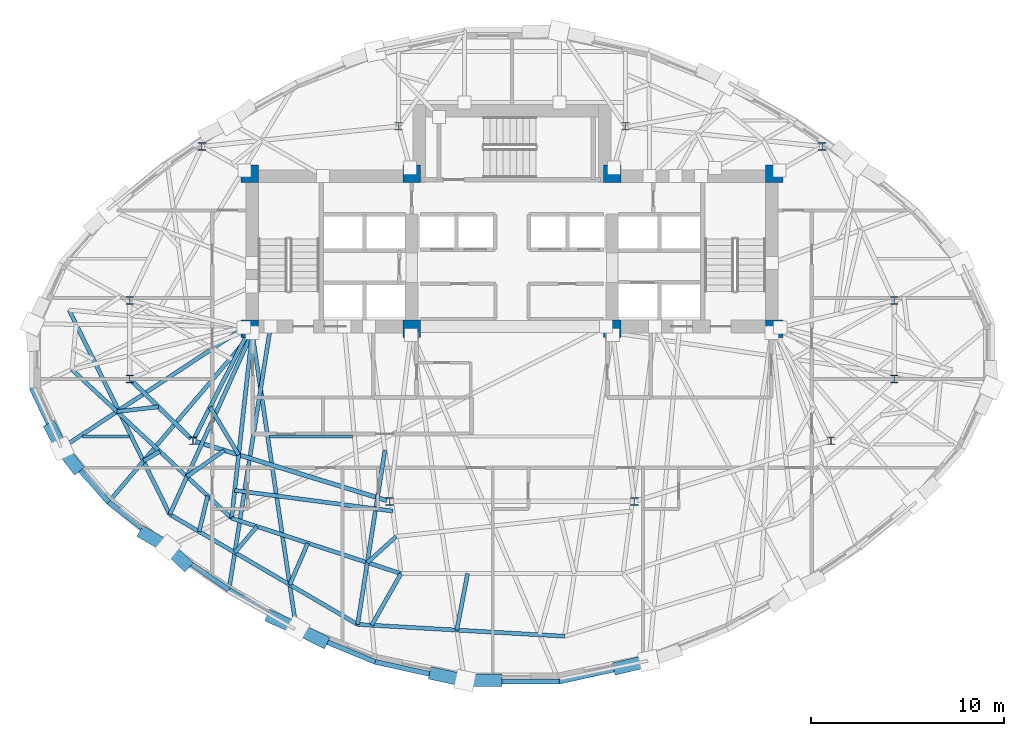
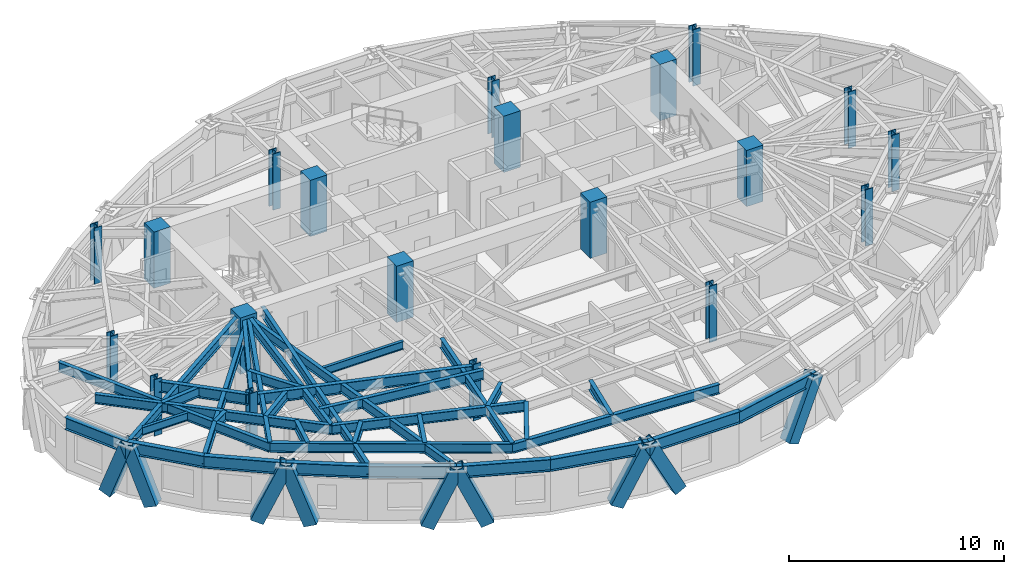
# One storey, part 1 of 14: 37 beams, 20 columns, 9 members.
"""IFC4 building model written with IfcOpenShell, lengths in metres."""

from ifc_helpers import new_model, si_unit, direction, frame, origin, origin_2d, place, context, subcontext, project, spatial, rectangle, hollow_rectangle, i_section, extrude, material, material_profile, profile_set, type_object, element, save


model = new_model("IFC4")

# Units and contexts
model_context = context("Model", 3, precision=1e-05, world=origin(), true_north=direction((0.0, 1.0)))
body_context = subcontext(model_context, "Body", "Model", "MODEL_VIEW")
ifc_project = project(units=[si_unit("LENGTHUNIT", "METRE"), si_unit("AREAUNIT", "SQUARE_METRE"), si_unit("VOLUMEUNIT", "CUBIC_METRE"), si_unit("PLANEANGLEUNIT", "RADIAN"), si_unit("MASSUNIT", "GRAM", prefix="KILO")], contexts=[model_context])

# Site, building, storey
site_placement = place(None, origin())
site = spatial("IfcSite", under=ifc_project, at=site_placement, CompositionType="ELEMENT")
building_placement = place(site_placement, origin())
building = spatial("IfcBuilding", under=site, at=building_placement, Name="Keldmark Tower", CompositionType="ELEMENT")
storey_placement = place(building_placement, frame((0.0, 0.0, 182.199951171875)))
storey = spatial("IfcBuildingStorey", under=building, at=storey_placement, Name="L50", CompositionType="ELEMENT", Elevation=182.199951171875)

# Columns
ifc_material_1 = material(Name="Concrete C50/60", Category="concrete")
ifc_material_profile_1 = material_profile(ifc_material_1, rectangle(XDim=0.89990234375, YDim=0.89990234375, at=origin_2d()), Name="RC900X900")
ifc_profile_set_1 = profile_set([ifc_material_profile_1], Name="Concrete C50/60")
column_type_1 = type_object("IfcColumnType", Name="Core Boundary Column RC900", PredefinedType="COLUMN", material=ifc_profile_set_1)
for number, where, z_axis, x_axis, name in (
    (1, (-13.60009765625, 1.39990234375, 0.0), (0.0, 0.0, 1.0), (1.0, 0.0, 0.0), "L50 Core Boundary Column CC-W1"),
    (2, (-13.60009765625, 9.449951171875, 0.0), (0.0, 0.0, 1.0), (1.0, 0.0, 0.0), "L50 Core Boundary Column CC-W2"),
    (3, (-5.199951171875, 1.39990234375, 0.0), (0.0, 0.0, 1.0), (1.0, 0.0, 0.0), "L50 Core Boundary Column CC-W3"),
    (4, (-5.199951171875, 9.449951171875, 0.0), (0.0, 0.0, 1.0), (1.0, 0.0, 0.0), "L50 Core Boundary Column CC-W4"),
    (5, (5.199951171875, 1.39990234375, 0.0), (0.0, 0.0, 1.0), (1.0, 0.0, 0.0), "L50 Core Boundary Column CC-E1"),
    (6, (5.199951171875, 9.449951171875, 0.0), (0.0, 0.0, 1.0), (1.0, 0.0, 0.0), "L50 Core Boundary Column CC-E2"),
    (7, (13.60009765625, 1.39990234375, 0.0), (0.0, 0.0, 1.0), (1.0, 0.0, 0.0), "L50 Core Boundary Column CC-E3"),
    (8, (13.60009765625, 9.449951171875, 0.0), (0.0, 0.0, 1.0), (1.0, 0.0, 0.0), "L50 Core Boundary Column CC-E4"),
):
    element("IfcColumn", number, at=place(storey_placement, frame(where, z_axis=z_axis, x_axis=x_axis)), inside=storey, type_object=column_type_1, Name=name, PredefinedType="COLUMN", context=body_context, shape_type="SweptSolid", body=[
        extrude(rectangle(XDim=0.89990234375, YDim=0.89990234375, at=origin_2d()), origin(), (0.0, 0.0, 1.0), 3.199951171875),
    ])
ifc_material_2 = material(Name="Steel ASTM A992 Grade 50", Category="steel")
ifc_material_profile_2 = material_profile(ifc_material_2, i_section(OverallWidth=0.404052734375, OverallDepth=0.406982421875, WebThickness=0.027099609375, FlangeThickness=0.043701171875, at=origin_2d()), Name="W14X233")
ifc_profile_set_2 = profile_set([ifc_material_profile_2], Name="Steel ASTM A992 Grade 50")
column_type_2 = type_object("IfcColumnType", Name="Tower Gravity Column W14X233", PredefinedType="COLUMN", material=ifc_profile_set_2)
for number, where, z_axis, x_axis, name in (
    (9, (19.828369140625, 2.869140625, 0.0), (0.0, 0.0, 1.0), (1.0, 0.0, 0.0), "L50 Tower Gravity Column TC-E1"),
    (10, (16.08154296875, 10.861083984375, 0.0), (0.0, 0.0, 1.0), (1.0, 0.0, 0.0), "L50 Tower Gravity Column TC-E4"),
    (11, (5.880126953125, 11.915283203125, 0.0), (0.0, 0.0, 1.0), (1.0, 0.0, 0.0), "L50 Tower Gravity Column TC-N2"),
    (12, (-5.880126953125, 11.915283203125, 0.0), (0.0, 0.0, 1.0), (1.0, 0.0, 0.0), "L50 Tower Gravity Column TC-N1"),
    (13, (-16.08154296875, 10.861083984375, 0.0), (0.0, 0.0, 1.0), (1.0, 0.0, 0.0), "L50 Tower Gravity Column TC-W4"),
    (14, (-19.828369140625, 2.869140625, 0.0), (0.0, 0.0, 1.0), (1.0, 0.0, 0.0), "L50 Tower Gravity Column TC-W1"),
    (15, (-19.828369140625, -1.189208984375, 0.0), (0.0, 0.0, 1.0), (1.0, 0.0, 0.0), "L50 Tower Gravity Column TC-W5"),
    (16, (-16.546630859375, -4.3984375, 0.0), (0.0, 0.0, 1.0), (1.0, 0.0, 0.0), "L50 Tower Gravity Column TC-W2"),
    (17, (-6.351318359375, -7.546142578125, 0.0), (0.0, 0.0, 1.0), (1.0, 0.0, 0.0), "L50 Tower Gravity Column TC-W3"),
    (18, (6.351318359375, -7.546142578125, 0.0), (0.0, 0.0, 1.0), (1.0, 0.0, 0.0), "L50 Tower Gravity Column TC-E3"),
    (19, (16.546630859375, -4.3984375, 0.0), (0.0, 0.0, 1.0), (1.0, 0.0, 0.0), "L50 Tower Gravity Column TC-E2"),
    (20, (19.828369140625, -1.189208984375, 0.0), (0.0, 0.0, 1.0), (1.0, 0.0, 0.0), "L50 Tower Gravity Column TC-E5"),
):
    element("IfcColumn", number, at=place(storey_placement, frame(where, z_axis=z_axis, x_axis=x_axis)), inside=storey, type_object=column_type_2, Name=name, PredefinedType="COLUMN", context=body_context, shape_type="SweptSolid", body=[
        extrude(i_section(OverallWidth=0.404052734375, OverallDepth=0.406982421875, WebThickness=0.027099609375, FlangeThickness=0.043701171875, at=origin_2d()), origin(), (0.0, 0.0, 1.0), 3.199951171875),
    ])

# Beams
ifc_material_3 = material(Name="Steel ASTM A992 Grade 50", Category="steel")
ifc_material_profile_3 = material_profile(ifc_material_3, i_section(OverallWidth=0.153076171875, OverallDepth=0.455078125, WebThickness=0.008056640625, FlangeThickness=0.01318359375, at=origin_2d()), Name="W18X40")
ifc_profile_set_3 = profile_set([ifc_material_profile_3], Name="Steel ASTM A992 Grade 50")
beam_type_1 = type_object("IfcBeamType", Name="Composite Floor Joist W18X40", PredefinedType="JOIST", material=ifc_profile_set_3)
beam_1_placement = place(storey_placement, frame((-22.2705078125, -4.179931640625, 2.79248046875), z_axis=(1.0, 0.0, 0.0), x_axis=(0.0, 1.0, 0.0)))
element("IfcBeam", 21, at=beam_1_placement, inside=storey, type_object=beam_type_1, Name="L50 Composite Floor Joist J01", PredefinedType="JOIST", context=body_context, shape_type="SweptSolid", body=[
    extrude(i_section(OverallWidth=0.153076171875, OverallDepth=0.455078125, WebThickness=0.008056640625, FlangeThickness=0.01318359375, at=origin_2d()), origin(), (0.0, 0.0, 1.0), 2.419677734375),
])
beam_2_placement = place(storey_placement, frame((-12.576416015625, -4.179931640625, 2.79248046875), z_axis=(1.0, 0.0, 0.0), x_axis=(0.0, 1.0, 0.0)))
element("IfcBeam", 22, at=beam_2_placement, inside=storey, type_object=beam_type_1, Name="L50 Composite Floor Joist J02", PredefinedType="JOIST", context=body_context, shape_type="SweptSolid", body=[
    extrude(i_section(OverallWidth=0.153076171875, OverallDepth=0.455078125, WebThickness=0.008056640625, FlangeThickness=0.01318359375, at=origin_2d()), origin(), (0.0, 0.0, 1.0), 4.30419921875),
])

# Members
ifc_material_4 = material(Name="Steel ASTM A572 Grade 50", Category="steel")
ifc_material_profile_4 = material_profile(ifc_material_4, hollow_rectangle(XDim=0.64990234375, YDim=0.64990234375, WallThickness=0.0400390625, at=origin_2d()), Name="BOX650X650X40")
ifc_profile_set_4 = profile_set([ifc_material_profile_4], Name="Steel ASTM A572 Grade 50")
member_type = type_object("IfcMemberType", Name="Diagrid Zone 3 Brace BOX650X650X40", PredefinedType="BRACE", material=ifc_profile_set_4)
member_1_placement = place(storey_placement, frame((-23.889892578125, -3.7666015625, -0.260009765625), z_axis=(0.159920374958, -0.309049021715, 0.937504227111), x_axis=(0.888138551958, 0.459575796279, 0.0)))
element("IfcMember", 23, at=member_1_placement, inside=storey, type_object=member_type, Name="L50 Perimeter Diagrid Brace 09A", PredefinedType="BRACE", context=body_context, shape_type="SweptSolid", body=[
    extrude(hollow_rectangle(XDim=0.64990234375, YDim=0.64990234375, WallThickness=0.0400390625, at=origin_2d()), origin(), (0.0, 0.0, 1.0), 3.370849609375),
])
member_2_placement = place(storey_placement, frame((-22.619384765625, -5.747314453125, -0.260009765625), z_axis=(-0.217087179675, 0.28114450781, 0.934789239427), x_axis=(-0.79150404649, -0.611163925956, 0.0)))
element("IfcMember", 24, at=member_2_placement, inside=storey, type_object=member_type, Name="L50 Perimeter Diagrid Brace 09B", PredefinedType="BRACE", context=body_context, shape_type="SweptSolid", body=[
    extrude(hollow_rectangle(XDim=0.64990234375, YDim=0.64990234375, WallThickness=0.0400390625, at=origin_2d()), origin(), (0.0, 0.0, 1.0), 3.380615234375),
])
member_3_placement = place(storey_placement, frame((-19.040771484375, -9.231201171875, -0.260009765625), z_axis=(0.348339985242, -0.201223808734, 0.91551528304), x_axis=(0.500204365392, 0.865907381215, 0.0)))
element("IfcMember", 25, at=member_3_placement, inside=storey, type_object=member_type, Name="L50 Perimeter Diagrid Brace 10A", PredefinedType="BRACE", context=body_context, shape_type="SweptSolid", body=[
    extrude(hollow_rectangle(XDim=0.64990234375, YDim=0.64990234375, WallThickness=0.0400390625, at=origin_2d()), origin(), (0.0, 0.0, 1.0), 3.45166015625),
])
member_4_placement = place(storey_placement, frame((-16.97119140625, -10.764892578125, -0.260009765625), z_axis=(-0.257925376839, 0.250644643731, 0.933087221299), x_axis=(-0.6969123658, -0.717156297047, 0.0)))
element("IfcMember", 26, at=member_4_placement, inside=storey, type_object=member_type, Name="L50 Perimeter Diagrid Brace 10B", PredefinedType="BRACE", context=body_context, shape_type="SweptSolid", body=[
    extrude(hollow_rectangle(XDim=0.64990234375, YDim=0.64990234375, WallThickness=0.0400390625, at=origin_2d()), origin(), (0.0, 0.0, 1.0), 3.38671875),
])
member_5_placement = place(storey_placement, frame((-12.425537109375, -13.571533203125, -0.260009765625), z_axis=(0.370348731886, -0.163877371348, 0.914322713242), x_axis=(0.404649083061, 0.914472044175, 0.0)))
element("IfcMember", 27, at=member_5_placement, inside=storey, type_object=member_type, Name="L50 Perimeter Diagrid Brace 11A", PredefinedType="BRACE", context=body_context, shape_type="SweptSolid", body=[
    extrude(hollow_rectangle(XDim=0.64990234375, YDim=0.64990234375, WallThickness=0.0400390625, at=origin_2d()), origin(), (0.0, 0.0, 1.0), 3.456298828125),
])
member_6_placement = place(storey_placement, frame((-9.857666015625, -14.779541015625, -0.260009765625), z_axis=(-0.373182012209, 0.186415473643, 0.908836870373), x_axis=(-0.446876933368, -0.894595442881, 0.0)))
element("IfcMember", 28, at=member_6_placement, inside=storey, type_object=member_type, Name="L50 Perimeter Diagrid Brace 11B", PredefinedType="BRACE", context=body_context, shape_type="SweptSolid", body=[
    extrude(hollow_rectangle(XDim=0.64990234375, YDim=0.64990234375, WallThickness=0.0400390625, at=origin_2d()), origin(), (0.0, 0.0, 1.0), 3.47705078125),
])
member_7_placement = place(storey_placement, frame((-3.9912109375, -16.500732421875, -0.260009765625), z_axis=(0.439254914949, -0.095442191261, 0.893278180535), x_axis=(0.212327661426, 0.977198528546, 0.0)))
element("IfcMember", 29, at=member_7_placement, inside=storey, type_object=member_type, Name="L50 Perimeter Diagrid Brace 12A", PredefinedType="BRACE", context=body_context, shape_type="SweptSolid", body=[
    extrude(hollow_rectangle(XDim=0.64990234375, YDim=0.64990234375, WallThickness=0.0400390625, at=origin_2d()), origin(), (0.0, 0.0, 1.0), 3.53759765625),
])
member_8_placement = place(storey_placement, frame((-0.8115234375, -16.82080078125, -0.260009765625), z_axis=(-0.460004490185, -0.004321545315, 0.887906072316), x_axis=(0.00939415748, -0.999955873929, 0.0)))
element("IfcMember", 30, at=member_8_placement, inside=storey, type_object=member_type, Name="L50 Perimeter Diagrid Brace 12B", PredefinedType="BRACE", context=body_context, shape_type="SweptSolid", body=[
    extrude(hollow_rectangle(XDim=0.64990234375, YDim=0.64990234375, WallThickness=0.0400390625, at=origin_2d()), origin(), (0.0, 0.0, 1.0), 3.55908203125),
])
member_9_placement = place(storey_placement, frame((5.558837890625, -16.17626953125, -0.260009765625), z_axis=(0.435005520657, 0.103378595537, 0.894473623414), x_axis=(-0.231209584419, 0.972903966521, 0.0)))
element("IfcMember", 31, at=member_9_placement, inside=storey, type_object=member_type, Name="L50 Perimeter Diagrid Brace 13A", PredefinedType="BRACE", context=body_context, shape_type="SweptSolid", body=[
    extrude(hollow_rectangle(XDim=0.64990234375, YDim=0.64990234375, WallThickness=0.0400390625, at=origin_2d()), origin(), (0.0, 0.0, 1.0), 3.532958984375),
])

# Beams
ifc_material_5 = material(Name="Steel ASTM A992 Grade 50", Category="steel")
ifc_material_profile_5 = material_profile(ifc_material_5, i_section(OverallWidth=0.22900390625, OverallDepth=0.612060546875, WebThickness=0.011962890625, FlangeThickness=0.01953125, at=origin_2d()), Name="W24X84")
ifc_profile_set_5 = profile_set([ifc_material_profile_5], Name="Steel ASTM A992 Grade 50")
beam_type_2 = type_object("IfcBeamType", Name="Primary Floor Girder W24X84", PredefinedType="BEAM", material=ifc_profile_set_5)
beam_3_placement = place(storey_placement, frame((-19.728271484375, -1.287109375, 2.714111328125), z_axis=(0.714964509815, -0.699160746684, 0.0), x_axis=(0.699160746684, 0.714964509815, 0.0)))
element("IfcBeam", 32, at=beam_3_placement, inside=storey, type_object=beam_type_2, Name="L50 Floor Ring Girder FG-R07", PredefinedType="BEAM", context=body_context, shape_type="SweptSolid", body=[
    extrude(i_section(OverallWidth=0.22900390625, OverallDepth=0.612060546875, WebThickness=0.011962890625, FlangeThickness=0.01953125, at=origin_2d()), origin(), (0.0, 0.0, 1.0), 4.31005859375),
])
beam_4_placement = place(storey_placement, frame((-16.412841796875, -4.439697265625, 2.714111328125), z_axis=(0.955494563145, -0.295008711398, 0.0), x_axis=(0.295008711398, 0.955494563145, 0.0)))
element("IfcBeam", 33, at=beam_4_placement, inside=storey, type_object=beam_type_2, Name="L50 Floor Ring Girder FG-R08", PredefinedType="BEAM", context=body_context, shape_type="SweptSolid", body=[
    extrude(i_section(OverallWidth=0.22900390625, OverallDepth=0.612060546875, WebThickness=0.011962890625, FlangeThickness=0.01953125, at=origin_2d()), origin(), (0.0, 0.0, 1.0), 10.39013671875),
])
ifc_material_6 = material(Name="Steel ASTM A992 Grade 50", Category="steel")
ifc_material_profile_6 = material_profile(ifc_material_6, i_section(OverallWidth=0.2099609375, OverallDepth=0.537109375, WebThickness=0.010986328125, FlangeThickness=0.017333984375, at=origin_2d()), Name="W21X68")
ifc_profile_set_6 = profile_set([ifc_material_profile_6], Name="Steel ASTM A992 Grade 50")
beam_type_3 = type_object("IfcBeamType", Name="Radial Tie Girder W21X68", PredefinedType="BEAM", material=ifc_profile_set_6)
beam_5_placement = place(storey_placement, frame((-16.4833984375, -4.273681640625, 2.75146484375), z_axis=(0.453036691775, 0.891491870914, 0.0), x_axis=(-0.891491870914, 0.453036691775, 0.0)))
element("IfcBeam", 34, at=beam_5_placement, inside=storey, type_object=beam_type_3, Name="L50 Floor Radial Girder FG-C08", PredefinedType="BEAM", context=body_context, shape_type="SweptSolid", body=[
    extrude(i_section(OverallWidth=0.2099609375, OverallDepth=0.537109375, WebThickness=0.010986328125, FlangeThickness=0.017333984375, at=origin_2d()), origin(), (0.0, 0.0, 1.0), 6.044189453125),
])
beam_6_placement = place(storey_placement, frame((-15.661865234375, -2.6572265625, 2.75146484375), z_axis=(0.514570454488, -0.857448101851, 0.0), x_axis=(0.857448101851, 0.514570454488, 0.0)))
element("IfcBeam", 35, at=beam_6_placement, inside=storey, type_object=beam_type_3, Name="L50 Framing Pin Header PH-002", PredefinedType="BEAM", context=body_context, shape_type="SweptSolid", body=[
    extrude(i_section(OverallWidth=0.2099609375, OverallDepth=0.537109375, WebThickness=0.010986328125, FlangeThickness=0.017333984375, at=origin_2d()), origin(), (0.0, 0.0, 1.0), 2.8837890625),
])
beam_7_placement = place(storey_placement, frame((-13.47509765625, 1.199951171875, 2.75146484375), z_axis=(-0.11037061052, -0.993890501179, 0.0), x_axis=(0.993890501179, -0.11037061052, 0.0)))
element("IfcBeam", 36, at=beam_7_placement, inside=storey, type_object=beam_type_3, Name="L50 Sub-Ring Step Girder STP1-M08", PredefinedType="BEAM", context=body_context, shape_type="SweptSolid", body=[
    extrude(i_section(OverallWidth=0.2099609375, OverallDepth=0.537109375, WebThickness=0.010986328125, FlangeThickness=0.017333984375, at=origin_2d()), origin(), (0.0, 0.0, 1.0), 9.677490234375),
])
beam_8_placement = place(storey_placement, frame((-14.383056640625, -6.9755859375, 2.75146484375), z_axis=(0.991524868993, -0.129917028018, 0.0), x_axis=(0.129917028018, 0.991524868993, 0.0)))
element("IfcBeam", 37, at=beam_8_placement, inside=storey, type_object=beam_type_3, Name="L50 Framing Pin Header PH-003", PredefinedType="BEAM", context=body_context, shape_type="SweptSolid", body=[
    extrude(i_section(OverallWidth=0.2099609375, OverallDepth=0.537109375, WebThickness=0.010986328125, FlangeThickness=0.017333984375, at=origin_2d()), origin(), (0.0, 0.0, 1.0), 8.272216796875),
])
beam_9_placement = place(storey_placement, frame((-22.82275390625, -0.71533203125, 2.75146484375), z_axis=(0.732132654929, -0.681162077325, 0.0), x_axis=(0.681162077325, 0.732132654929, 0.0)))
element("IfcBeam", 38, at=beam_9_placement, inside=storey, type_object=beam_type_3, Name="L50 Perimeter Collector Ring Beam CRG1-M07", PredefinedType="BEAM", context=body_context, shape_type="SweptSolid", body=[
    extrude(i_section(OverallWidth=0.2099609375, OverallDepth=0.537109375, WebThickness=0.010986328125, FlangeThickness=0.017333984375, at=origin_2d()), origin(), (0.0, 0.0, 1.0), 11.308837890625),
])
beam_10_placement = place(storey_placement, frame((-14.543212890625, -8.41845703125, 2.75146484375), z_axis=(0.950440993261, -0.31090499888, 0.0), x_axis=(0.31090499888, 0.950440993261, 0.0)))
element("IfcBeam", 39, at=beam_10_placement, inside=storey, type_object=beam_type_3, Name="L50 Perimeter Collector Ring Beam CRG1-M08", PredefinedType="BEAM", context=body_context, shape_type="SweptSolid", body=[
    extrude(i_section(OverallWidth=0.2099609375, OverallDepth=0.537109375, WebThickness=0.010986328125, FlangeThickness=0.017333984375, at=origin_2d()), origin(), (0.0, 0.0, 1.0), 9.24169921875),
])
beam_11_placement = place(storey_placement, frame((-14.923583984375, -4.8994140625, 2.75146484375), z_axis=(-0.818310918525, -0.574775817709, 0.0), x_axis=(0.574775817709, -0.818310918525, 0.0)))
element("IfcBeam", 40, at=beam_11_placement, inside=storey, type_object=beam_type_3, Name="L50 Framing Pin Header PH-008", PredefinedType="BEAM", context=body_context, shape_type="SweptSolid", body=[
    extrude(i_section(OverallWidth=0.2099609375, OverallDepth=0.537109375, WebThickness=0.010986328125, FlangeThickness=0.017333984375, at=origin_2d()), origin(), (0.0, 0.0, 1.0), 2.368896484375),
])
beam_12_placement = place(storey_placement, frame((-13.47509765625, 1.199951171875, 2.75146484375), z_axis=(-0.41336557596, -0.910565154512, 0.0), x_axis=(0.910565154512, -0.41336557596, 0.0)))
element("IfcBeam", 41, at=beam_12_placement, inside=storey, type_object=beam_type_3, Name="L50 Sub-Ring Step Girder STP2-M08", PredefinedType="BEAM", context=body_context, shape_type="SweptSolid", body=[
    extrude(i_section(OverallWidth=0.2099609375, OverallDepth=0.537109375, WebThickness=0.010986328125, FlangeThickness=0.017333984375, at=origin_2d()), origin(), (0.0, 0.0, 1.0), 10.346923828125),
])
beam_13_placement = place(storey_placement, frame((-6.009521484375, -9.369384765625, 2.75146484375), z_axis=(-0.741822686352, -0.670596079629, 0.0), x_axis=(0.670596079629, -0.741822686352, 0.0)))
element("IfcBeam", 42, at=beam_13_placement, inside=storey, type_object=beam_type_3, Name="L50 Framing Pin Header PH-009", PredefinedType="BEAM", context=body_context, shape_type="SweptSolid", body=[
    extrude(i_section(OverallWidth=0.2099609375, OverallDepth=0.537109375, WebThickness=0.010986328125, FlangeThickness=0.017333984375, at=origin_2d()), origin(), (0.0, 0.0, 1.0), 2.015380859375),
])
beam_14_placement = place(storey_placement, frame((-6.59228515625, -4.88330078125, 2.75146484375), z_axis=(-0.154435453402, -0.988002879921, 0.0), x_axis=(0.988002879921, -0.154435453402, 0.0)))
element("IfcBeam", 43, at=beam_14_placement, inside=storey, type_object=beam_type_3, Name="L50 Sub-Ring Step Girder STP2-M09", PredefinedType="BEAM", context=body_context, shape_type="SweptSolid", body=[
    extrude(i_section(OverallWidth=0.2099609375, OverallDepth=0.537109375, WebThickness=0.010986328125, FlangeThickness=0.017333984375, at=origin_2d()), origin(), (0.0, 0.0, 1.0), 9.15478515625),
])
beam_15_placement = place(storey_placement, frame((-22.972900390625, 2.37548828125, 2.75146484375), z_axis=(0.441931738167, -0.897048682514, 0.0), x_axis=(0.897048682514, 0.441931738167, 0.0)))
element("IfcBeam", 44, at=beam_15_placement, inside=storey, type_object=beam_type_3, Name="L50 Perimeter Collector Ring Beam CRG2-M07", PredefinedType="BEAM", context=body_context, shape_type="SweptSolid", body=[
    extrude(i_section(OverallWidth=0.2099609375, OverallDepth=0.537109375, WebThickness=0.010986328125, FlangeThickness=0.017333984375, at=origin_2d()), origin(), (0.0, 0.0, 1.0), 11.8134765625),
])
beam_16_placement = place(storey_placement, frame((-17.752197265625, -8.2216796875, 2.75146484375), z_axis=(0.862956077202, -0.505278941596, 0.0), x_axis=(0.505278941596, 0.862956077202, 0.0)))
element("IfcBeam", 45, at=beam_16_placement, inside=storey, type_object=beam_type_3, Name="L50 Perimeter Collector Ring Beam CRG2-M08", PredefinedType="BEAM", context=body_context, shape_type="SweptSolid", body=[
    extrude(i_section(OverallWidth=0.2099609375, OverallDepth=0.537109375, WebThickness=0.010986328125, FlangeThickness=0.017333984375, at=origin_2d()), origin(), (0.0, 0.0, 1.0), 11.2939453125),
])
beam_17_placement = place(storey_placement, frame((-8.006103515625, -13.92822265625, 2.75146484375), z_axis=(0.998371666866, -0.057043972508, 0.0), x_axis=(0.057043972508, 0.998371666866, 0.0)))
element("IfcBeam", 46, at=beam_17_placement, inside=storey, type_object=beam_type_3, Name="L50 Perimeter Collector Ring Beam CRG2-M09", PredefinedType="BEAM", context=body_context, shape_type="SweptSolid", body=[
    extrude(i_section(OverallWidth=0.2099609375, OverallDepth=0.537109375, WebThickness=0.010986328125, FlangeThickness=0.017333984375, at=origin_2d()), origin(), (0.0, 0.0, 1.0), 10.75537109375),
])
beam_18_placement = place(storey_placement, frame((-18.341552734375, -2.643310546875, 2.75146484375), z_axis=(-0.993623389544, -0.112749987807, 0.0), x_axis=(0.112749987807, -0.993623389544, 0.0)))
element("IfcBeam", 47, at=beam_18_placement, inside=storey, type_object=beam_type_3, Name="L50 Framing Pin Header PH-024", PredefinedType="BEAM", context=body_context, shape_type="SweptSolid", body=[
    extrude(i_section(OverallWidth=0.2099609375, OverallDepth=0.537109375, WebThickness=0.010986328125, FlangeThickness=0.017333984375, at=origin_2d()), origin(), (0.0, 0.0, 1.0), 2.160888671875),
])
beam_19_placement = place(storey_placement, frame((-13.800048828125, 1.52490234375, 2.75146484375), z_axis=(-0.834764384069, -0.550607322046, 0.0), x_axis=(0.550607322046, -0.834764384069, 0.0)))
element("IfcBeam", 48, at=beam_19_placement, inside=storey, type_object=beam_type_3, Name="L50 Perimeter Radial Tie Girder RT-18", PredefinedType="BEAM", context=body_context, shape_type="SweptSolid", body=[
    extrude(i_section(OverallWidth=0.2099609375, OverallDepth=0.537109375, WebThickness=0.010986328125, FlangeThickness=0.017333984375, at=origin_2d()), origin(), (0.0, 0.0, 1.0), 11.512939453125),
])
beam_20_placement = place(storey_placement, frame((-18.26904296875, -4.9521484375, 2.75146484375), z_axis=(-0.861429920431, -0.507876453664, 0.0), x_axis=(0.507876453664, -0.861429920431, 0.0)))
element("IfcBeam", 49, at=beam_20_placement, inside=storey, type_object=beam_type_3, Name="L50 Framing Pin Header PH-025", PredefinedType="BEAM", context=body_context, shape_type="SweptSolid", body=[
    extrude(i_section(OverallWidth=0.2099609375, OverallDepth=0.537109375, WebThickness=0.010986328125, FlangeThickness=0.017333984375, at=origin_2d()), origin(), (0.0, 0.0, 1.0), 0.984130859375),
])
beam_21_placement = place(storey_placement, frame((-13.47509765625, 1.199951171875, 2.75146484375), z_axis=(-0.646815304492, -0.762646682203, 0.0), x_axis=(0.762646682203, -0.646815304492, 0.0)))
element("IfcBeam", 50, at=beam_21_placement, inside=storey, type_object=beam_type_3, Name="L50 Perimeter Radial Tie Girder RT-19", PredefinedType="BEAM", context=body_context, shape_type="SweptSolid", body=[
    extrude(i_section(OverallWidth=0.2099609375, OverallDepth=0.537109375, WebThickness=0.010986328125, FlangeThickness=0.017333984375, at=origin_2d()), origin(), (0.0, 0.0, 1.0), 11.514404296875),
])
beam_22_placement = place(storey_placement, frame((-15.78515625, -7.262939453125, 2.75146484375), z_axis=(-0.231990376859, -0.972718080969, 0.0), x_axis=(0.972718080969, -0.231990376859, 0.0)))
element("IfcBeam", 51, at=beam_22_placement, inside=storey, type_object=beam_type_3, Name="L50 Framing Pin Header PH-026", PredefinedType="BEAM", context=body_context, shape_type="SweptSolid", body=[
    extrude(i_section(OverallWidth=0.2099609375, OverallDepth=0.537109375, WebThickness=0.010986328125, FlangeThickness=0.017333984375, at=origin_2d()), origin(), (0.0, 0.0, 1.0), 1.90380859375),
])
beam_23_placement = place(storey_placement, frame((-13.2255859375, -8.849365234375, 2.75146484375), z_axis=(-0.649668240852, -0.76021784827, 0.0), x_axis=(0.76021784827, -0.649668240852, 0.0)))
element("IfcBeam", 52, at=beam_23_placement, inside=storey, type_object=beam_type_3, Name="L50 Framing Pin Header PH-027", PredefinedType="BEAM", context=body_context, shape_type="SweptSolid", body=[
    extrude(i_section(OverallWidth=0.2099609375, OverallDepth=0.537109375, WebThickness=0.010986328125, FlangeThickness=0.017333984375, at=origin_2d()), origin(), (0.0, 0.0, 1.0), 1.7734375),
])
beam_24_placement = place(storey_placement, frame((-12.52490234375, 1.52490234375, 2.75146484375), z_axis=(-0.156110403638, -0.987739612386, 0.0), x_axis=(0.987739612386, -0.156110403638, 0.0)))
element("IfcBeam", 53, at=beam_24_placement, inside=storey, type_object=beam_type_3, Name="L50 Perimeter Radial Tie Girder RT-21", PredefinedType="BEAM", context=body_context, shape_type="SweptSolid", body=[
    extrude(i_section(OverallWidth=0.2099609375, OverallDepth=0.537109375, WebThickness=0.010986328125, FlangeThickness=0.017333984375, at=origin_2d()), origin(), (0.0, 0.0, 1.0), 13.8232421875),
])
beam_25_placement = place(storey_placement, frame((-10.590576171875, -9.71142578125, 2.75146484375), z_axis=(-0.399330162745, -0.916807188629, 0.0), x_axis=(0.916807188629, -0.399330162745, 0.0)))
element("IfcBeam", 54, at=beam_25_placement, inside=storey, type_object=beam_type_3, Name="L50 Framing Pin Header PH-028", PredefinedType="BEAM", context=body_context, shape_type="SweptSolid", body=[
    extrude(i_section(OverallWidth=0.2099609375, OverallDepth=0.537109375, WebThickness=0.010986328125, FlangeThickness=0.017333984375, at=origin_2d()), origin(), (0.0, 0.0, 1.0), 2.349609375),
])
beam_26_placement = place(storey_placement, frame((-13.47509765625, 1.199951171875, 2.75146484375), z_axis=(0.147325678624, -0.989088036738, 0.0), x_axis=(0.989088036738, 0.147325678624, 0.0)))
element("IfcBeam", 55, at=beam_26_placement, inside=storey, type_object=beam_type_3, Name="L50 Perimeter Radial Tie Girder RT-22", PredefinedType="BEAM", context=body_context, shape_type="SweptSolid", body=[
    extrude(i_section(OverallWidth=0.2099609375, OverallDepth=0.537109375, WebThickness=0.010986328125, FlangeThickness=0.017333984375, at=origin_2d()), origin(), (0.0, 0.0, 1.0), 15.553955078125),
])
beam_27_placement = place(storey_placement, frame((-5.759521484375, -11.291748046875, 2.75146484375), z_axis=(-0.492752366272, -0.870169584353, 0.0), x_axis=(0.870169584353, -0.492752366272, 0.0)))
element("IfcBeam", 56, at=beam_27_placement, inside=storey, type_object=beam_type_3, Name="L50 Framing Pin Header PH-029", PredefinedType="BEAM", context=body_context, shape_type="SweptSolid", body=[
    extrude(i_section(OverallWidth=0.2099609375, OverallDepth=0.537109375, WebThickness=0.010986328125, FlangeThickness=0.017333984375, at=origin_2d()), origin(), (0.0, 0.0, 1.0), 3.077880859375),
])
beam_28_placement = place(storey_placement, frame((-2.3037109375, -11.291748046875, 2.75146484375), z_axis=(-0.186615617247, -0.982433006062, 0.0), x_axis=(0.982433006062, -0.186615617247, 0.0)))
element("IfcBeam", 57, at=beam_28_placement, inside=storey, type_object=beam_type_3, Name="L50 Framing Pin Header PH-030", PredefinedType="BEAM", context=body_context, shape_type="SweptSolid", body=[
    extrude(i_section(OverallWidth=0.2099609375, OverallDepth=0.537109375, WebThickness=0.010986328125, FlangeThickness=0.017333984375, at=origin_2d()), origin(), (0.0, 0.0, 1.0), 2.98291015625),
])
ifc_material_7 = material(Name="Steel ASTM A992 Grade 50", Category="steel")
ifc_material_profile_7 = material_profile(ifc_material_7, i_section(OverallWidth=0.256103515625, OverallDepth=0.693115234375, WebThickness=0.014404296875, FlangeThickness=0.023681640625, at=origin_2d()), Name="W27X114")
ifc_profile_set_7 = profile_set([ifc_material_profile_7], Name="Steel ASTM A992 Grade 50")
beam_type_4 = type_object("IfcBeamType", Name="Spandrel Ring Beam W27X114", PredefinedType="SPANDREL", material=ifc_profile_set_7)
beam_29_placement = place(storey_placement, frame((-24.9228515625, -1.6640625, 2.673583984375), z_axis=(0.43276286683, -0.90150779314, 0.0), x_axis=(0.90150779314, 0.43276286683, 0.0)))
element("IfcBeam", 58, at=beam_29_placement, inside=storey, type_object=beam_type_4, Name="L50 Perimeter Spandrel Ring Beam SRB-17", PredefinedType="SPANDREL", context=body_context, shape_type="SweptSolid", body=[
    extrude(i_section(OverallWidth=0.256103515625, OverallDepth=0.693115234375, WebThickness=0.014404296875, FlangeThickness=0.023681640625, at=origin_2d()), origin(), (0.0, 0.0, 1.0), 3.494384765625),
])
beam_30_placement = place(storey_placement, frame((-23.41064453125, -4.814208984375, 2.673583984375), z_axis=(0.668547778607, -0.743669192396, 0.0), x_axis=(0.743669192396, 0.668547778607, 0.0)))
element("IfcBeam", 59, at=beam_30_placement, inside=storey, type_object=beam_type_4, Name="L50 Perimeter Spandrel Ring Beam SRB-18", PredefinedType="SPANDREL", context=body_context, shape_type="SweptSolid", body=[
    extrude(i_section(OverallWidth=0.256103515625, OverallDepth=0.693115234375, WebThickness=0.014404296875, FlangeThickness=0.023681640625, at=origin_2d()), origin(), (0.0, 0.0, 1.0), 3.72119140625),
])
beam_31_placement = place(storey_placement, frame((-20.9228515625, -7.58154296875, 2.673583984375), z_axis=(0.787518383176, -0.616291161838, 0.0), x_axis=(0.616291161838, 0.787518383176, 0.0)))
element("IfcBeam", 60, at=beam_31_placement, inside=storey, type_object=beam_type_4, Name="L50 Perimeter Spandrel Ring Beam SRB-19", PredefinedType="SPANDREL", context=body_context, shape_type="SweptSolid", body=[
    extrude(i_section(OverallWidth=0.256103515625, OverallDepth=0.693115234375, WebThickness=0.014404296875, FlangeThickness=0.023681640625, at=origin_2d()), origin(), (0.0, 0.0, 1.0), 3.849853515625),
])
beam_32_placement = place(storey_placement, frame((-17.89111328125, -9.9541015625, 2.673583984375), z_axis=(0.82774221662, -0.561108565988, 0.0), x_axis=(0.561108565988, 0.82774221662, 0.0)))
element("IfcBeam", 61, at=beam_32_placement, inside=storey, type_object=beam_type_4, Name="L50 Perimeter Spandrel Ring Beam SRB-20", PredefinedType="SPANDREL", context=body_context, shape_type="SweptSolid", body=[
    extrude(i_section(OverallWidth=0.256103515625, OverallDepth=0.693115234375, WebThickness=0.014404296875, FlangeThickness=0.023681640625, at=origin_2d()), origin(), (0.0, 0.0, 1.0), 3.8759765625),
])
beam_33_placement = place(storey_placement, frame((-14.682861328125, -12.12890625, 2.673583984375), z_axis=(0.862254167878, -0.506475813812, 0.0), x_axis=(0.506475813812, 0.862254167878, 0.0)))
element("IfcBeam", 62, at=beam_33_placement, inside=storey, type_object=beam_type_4, Name="L50 Perimeter Spandrel Ring Beam SRB-21", PredefinedType="SPANDREL", context=body_context, shape_type="SweptSolid", body=[
    extrude(i_section(OverallWidth=0.256103515625, OverallDepth=0.693115234375, WebThickness=0.014404296875, FlangeThickness=0.023681640625, at=origin_2d()), origin(), (0.0, 0.0, 1.0), 4.058349609375),
])
beam_34_placement = place(storey_placement, frame((-11.18359375, -14.184326171875, 2.673583984375), z_axis=(0.924243616995, -0.381803269294, 0.0), x_axis=(0.381803269294, 0.924243616995, 0.0)))
element("IfcBeam", 63, at=beam_34_placement, inside=storey, type_object=beam_type_4, Name="L50 Perimeter Spandrel Ring Beam SRB-22", PredefinedType="SPANDREL", context=body_context, shape_type="SweptSolid", body=[
    extrude(i_section(OverallWidth=0.256103515625, OverallDepth=0.693115234375, WebThickness=0.014404296875, FlangeThickness=0.023681640625, at=origin_2d()), origin(), (0.0, 0.0, 1.0), 4.41650390625),
])
beam_35_placement = place(storey_placement, frame((-7.1015625, -15.87060546875, 2.673583984375), z_axis=(0.976509488036, -0.215474406312, 0.0), x_axis=(0.215474406312, 0.976509488036, 0.0)))
element("IfcBeam", 64, at=beam_35_placement, inside=storey, type_object=beam_type_4, Name="L50 Perimeter Spandrel Ring Beam SRB-23", PredefinedType="SPANDREL", context=body_context, shape_type="SweptSolid", body=[
    extrude(i_section(OverallWidth=0.256103515625, OverallDepth=0.693115234375, WebThickness=0.014404296875, FlangeThickness=0.023681640625, at=origin_2d()), origin(), (0.0, 0.0, 1.0), 4.7587890625),
])
beam_36_placement = place(storey_placement, frame((-2.45458984375, -16.89599609375, 2.673583984375), z_axis=(1.0, 0.0, 0.0), x_axis=(0.0, 1.0, 0.0)))
element("IfcBeam", 65, at=beam_36_placement, inside=storey, type_object=beam_type_4, Name="L50 Perimeter Spandrel Ring Beam SRB-24", PredefinedType="SPANDREL", context=body_context, shape_type="SweptSolid", body=[
    extrude(i_section(OverallWidth=0.256103515625, OverallDepth=0.693115234375, WebThickness=0.014404296875, FlangeThickness=0.023681640625, at=origin_2d()), origin(), (0.0, 0.0, 1.0), 4.9091796875),
])
beam_37_placement = place(storey_placement, frame((2.45458984375, -16.89599609375, 2.673583984375), z_axis=(0.976509488036, 0.215474406312, 0.0), x_axis=(-0.215474406312, 0.976509488036, 0.0)))
element("IfcBeam", 66, at=beam_37_placement, inside=storey, type_object=beam_type_4, Name="L50 Perimeter Spandrel Ring Beam SRB-25", PredefinedType="SPANDREL", context=body_context, shape_type="SweptSolid", body=[
    extrude(i_section(OverallWidth=0.256103515625, OverallDepth=0.693115234375, WebThickness=0.014404296875, FlangeThickness=0.023681640625, at=origin_2d()), origin(), (0.0, 0.0, 1.0), 4.7587890625),
])

save(model, "model.ifc")
